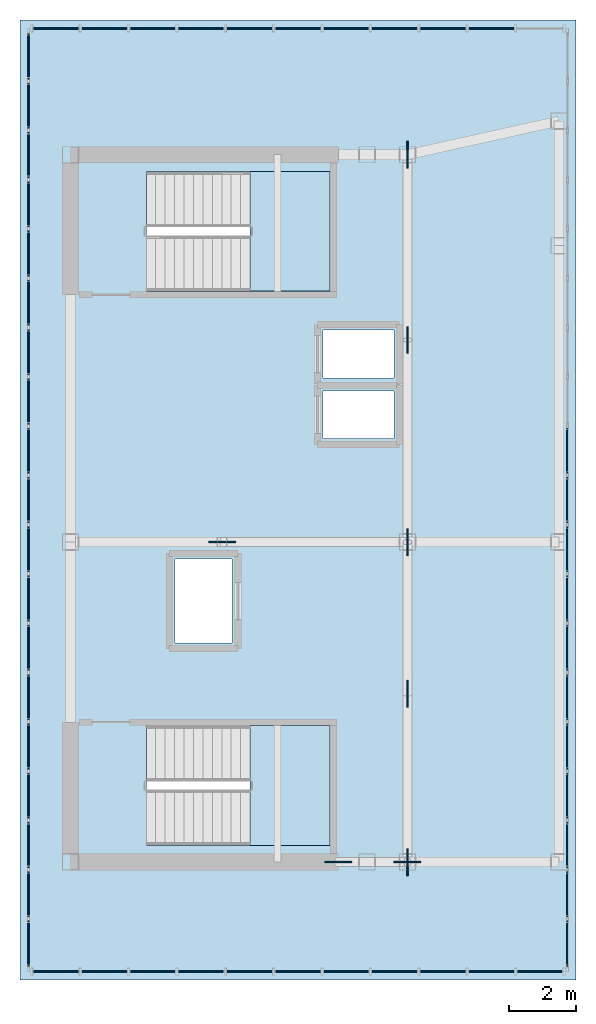
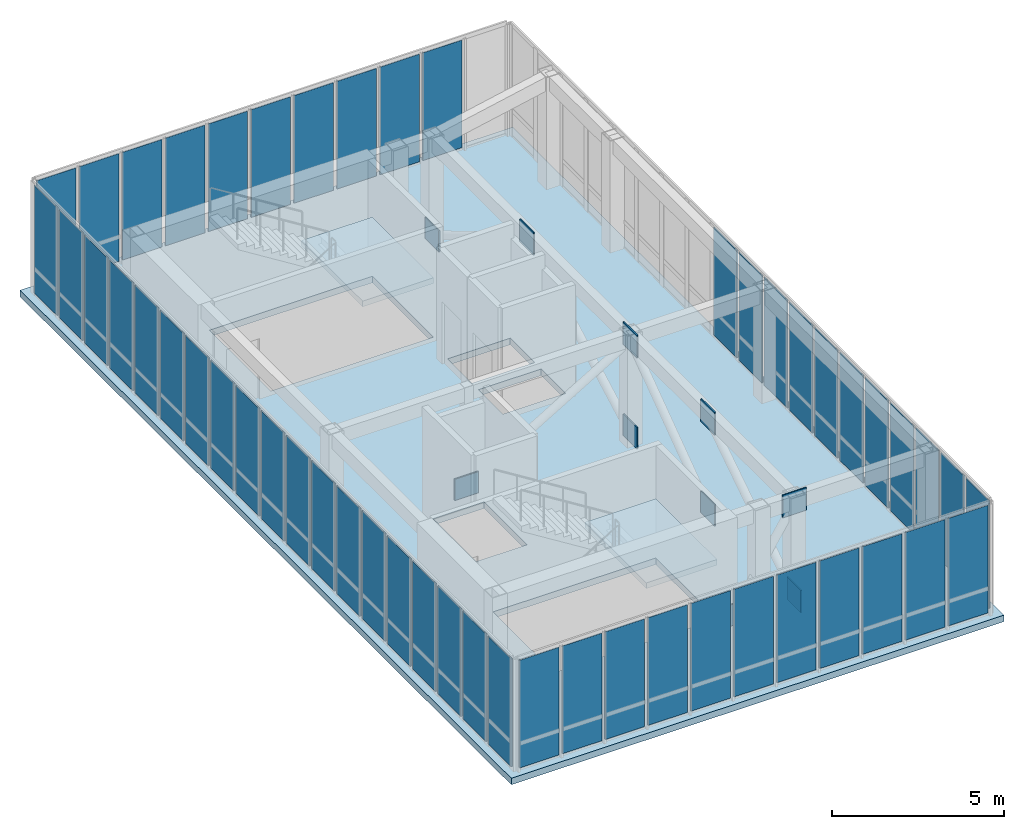
# One storey, part 11 of 13: 61 plates, 3 slabs, 6 elements without a shape of their own.
"""IFC4 building model written with IfcOpenShell, lengths in metres."""

import ifcopenshell
import ifcopenshell.guid

model = None  # the IFC model being written
_history = None  # IfcOwnerHistory: only IFC2X3 demands one
_inside = {}  # id of a spatial element -> (the spatial element, [elements in it])
_under = {}  # id of a project, library or spatial element -> (it, [spatial elements below it])
_declared = {}  # id of a project -> (the project, [libraries it declares])
_typed = {}  # id of a type object -> (the type object, [elements of that type])
_made_of = {}  # id of a material, layer set ... -> (it, [elements and type objects made of it])


def new_model(schema):
    """Start an empty IFC model of exactly this schema.

    Asked for "IFC4X3", IfcOpenShell would pick the latest addendum, in which some entities
    have other attributes; the version numbers below select the first issue.
    IFC2X3 requires an IfcOwnerHistory on every rooted entity: one is made here for all.
    """
    global model, _history
    if schema == "IFC4X3":
        model = ifcopenshell.file(schema_version=(4, 3, 0, 0))
    else:
        model = ifcopenshell.file(schema=schema)
    _inside.clear()
    _under.clear()
    _declared.clear()
    _typed.clear()
    _made_of.clear()
    _history = None
    if model.schema == "IFC2X3":
        org = make("IfcOrganization", Name="unknown")
        user = make(
            "IfcPersonAndOrganization",
            ThePerson=make("IfcPerson", FamilyName="unknown"),
            TheOrganization=org,
        )
        app = make(
            "IfcApplication",
            ApplicationDeveloper=org,
            Version="unknown",
            ApplicationFullName="unknown",
            ApplicationIdentifier="unknown",
        )
        _history = make(
            "IfcOwnerHistory",
            OwningUser=user,
            OwningApplication=app,
            ChangeAction="ADDED",
            CreationDate=0,
        )
    return model


def make(cls, **values):
    """One entity of the class cls with the attributes given. An attribute that is None is left unset."""
    return model.create_entity(
        cls, **{name: value for name, value in values.items() if value is not None}
    )


def rooted(cls, **values):
    """An entity with a GlobalId (a new one), such as an element, a storey or a relation."""
    return make(cls, GlobalId=ifcopenshell.guid.new(), OwnerHistory=_history, **values)


def si_unit(unit_type, name, prefix=None):
    """IfcSIUnit, for example si_unit("LENGTHUNIT", "METRE", prefix="MILLI")."""
    return make("IfcSIUnit", UnitType=unit_type, Prefix=prefix, Name=name)


def assignment(units):
    """IfcUnitAssignment: the units of a project."""
    return None if units is None else make("IfcUnitAssignment", Units=units)


def point(xyz):
    """IfcCartesianPoint."""
    return None if xyz is None else make("IfcCartesianPoint", Coordinates=xyz)


def direction(xyz):
    """IfcDirection."""
    return None if xyz is None else make("IfcDirection", DirectionRatios=xyz)


def frame(location, z_axis=None, x_axis=None):
    """IfcAxis2Placement3D, a coordinate frame: its origin and axes. An axis left out is left unset."""
    return make(
        "IfcAxis2Placement3D",
        Location=point(location),
        Axis=direction(z_axis),
        RefDirection=direction(x_axis),
    )


def frame_2d(location, x_axis=None):
    """IfcAxis2Placement2D, a coordinate frame in the plane: its origin and x axis."""
    return make(
        "IfcAxis2Placement2D", Location=point(location), RefDirection=direction(x_axis)
    )


def origin():
    """The frame at (0, 0, 0) with its axes left unset."""
    return frame((0.0, 0.0, 0.0))


def origin_2d():
    """The frame at (0, 0) in the plane with its x axis left unset."""
    return frame_2d((0.0, 0.0))


def place(relative_to, where):
    """IfcLocalPlacement: puts the frame where relative to a parent placement (None: the world)."""
    return make(
        "IfcLocalPlacement", PlacementRelTo=relative_to, RelativePlacement=where
    )


def context(
    kind, dimensions, precision=None, world=None, true_north=None, identifier=None
):
    """IfcGeometricRepresentationContext, for example the 3D "Model" context."""
    return make(
        "IfcGeometricRepresentationContext",
        ContextIdentifier=identifier,
        ContextType=kind,
        CoordinateSpaceDimension=dimensions,
        Precision=precision,
        WorldCoordinateSystem=world,
        TrueNorth=true_north,
    )


def subcontext(parent, identifier, kind, view, scale=None):
    """IfcGeometricRepresentationSubContext, for example "Body" below "Model"."""
    return make(
        "IfcGeometricRepresentationSubContext",
        ContextIdentifier=identifier,
        ContextType=kind,
        ParentContext=parent,
        TargetScale=scale,
        TargetView=view,
    )


def project(units=None, contexts=None):
    """IfcProject with its units and contexts."""
    return rooted(
        "IfcProject",
        Name="project",
        RepresentationContexts=contexts,
        UnitsInContext=assignment(units),
    )


def spatial(cls, under=None, at=None, **own):
    """A site, building, storey or space (cls), placed at a placement, below another one or the project."""
    s = rooted(cls, ObjectPlacement=at, **own)
    if under is not None:
        _under.setdefault(under.id(), (under, []))[1].append(s)
    return s


def polyline(points):
    """IfcPolyline through the points."""
    return make("IfcPolyline", Points=[point(p) for p in points])


def profile(cls, at=None, kind="AREA", **sizes):
    """A parametric profile (cls). Its sizes go by their IFC names, for example OverallWidth=200.0."""
    return make(cls, ProfileType=kind, Position=at, **sizes)


def rectangle(**sizes):
    """IfcRectangleProfileDef."""
    return profile("IfcRectangleProfileDef", **sizes)


def outline(outer, holes=None, kind="AREA"):
    """IfcArbitraryClosedProfileDef: a profile drawn as a closed curve; with holes, ...WithVoids."""
    if holes is None:
        return make("IfcArbitraryClosedProfileDef", ProfileType=kind, OuterCurve=outer)
    return make(
        "IfcArbitraryProfileDefWithVoids",
        ProfileType=kind,
        OuterCurve=outer,
        InnerCurves=holes,
    )


def extrude(swept, where, along, depth):
    """IfcExtrudedAreaSolid: the profile swept, set in the frame where, extruded along a direction by depth."""
    return make(
        "IfcExtrudedAreaSolid",
        SweptArea=swept,
        Position=where,
        ExtrudedDirection=direction(along),
        Depth=depth,
    )


def shape(context_of_items, identifier, shape_type, items):
    """IfcShapeRepresentation: the items that make up one representation, for example the "Body"."""
    return make(
        "IfcShapeRepresentation",
        ContextOfItems=context_of_items,
        RepresentationIdentifier=identifier,
        RepresentationType=shape_type,
        Items=items,
    )


def source(mapping_origin, context_of_items, identifier, shape_type, items):
    """IfcRepresentationMap: a shape defined once, which mapped items show again and again."""
    return make(
        "IfcRepresentationMap",
        MappingOrigin=mapping_origin,
        MappedRepresentation=shape(context_of_items, identifier, shape_type, items),
    )


def transform(
    local_origin,
    x_axis=None,
    y_axis=None,
    z_axis=None,
    scale=None,
    scale2=None,
    scale3=None,
    uniform=True,
):
    """IfcCartesianTransformationOperator3D, or its non-uniform kind. x_axis, y_axis, z_axis: its Axis1, 2, 3."""
    if uniform:
        return make(
            "IfcCartesianTransformationOperator3D",
            Axis1=direction(x_axis),
            Axis2=direction(y_axis),
            LocalOrigin=point(local_origin),
            Scale=scale,
            Axis3=direction(z_axis),
        )
    return make(
        "IfcCartesianTransformationOperator3DnonUniform",
        Axis1=direction(x_axis),
        Axis2=direction(y_axis),
        LocalOrigin=point(local_origin),
        Scale=scale,
        Axis3=direction(z_axis),
        Scale2=scale2,
        Scale3=scale3,
    )


def mapped(mapping_source, mapping_target):
    """IfcMappedItem: shows the shape of a source again, moved by a transform."""
    return make(
        "IfcMappedItem", MappingSource=mapping_source, MappingTarget=mapping_target
    )


def material(Name=None, Category=None):
    """IfcMaterial."""
    return make("IfcMaterial", Name=Name, Category=Category)


def layer(
    of_material, thickness, ventilated=None, Name=None, Category=None, Priority=None
):
    """IfcMaterialLayer: one layer of a wall or slab, of a material (None: an air gap)."""
    return make(
        "IfcMaterialLayer",
        Material=of_material,
        LayerThickness=thickness,
        IsVentilated=ventilated,
        Name=Name,
        Category=Category,
        Priority=Priority,
    )


def layer_set(layers, Name=None):
    """IfcMaterialLayerSet."""
    return make("IfcMaterialLayerSet", MaterialLayers=layers, LayerSetName=Name)


def made_of(thing, what):
    """Note that an element or type object is made of a material, layer set ...; save() writes the relation."""
    if what is not None:
        _made_of.setdefault(what.id(), (what, []))[1].append(thing)
    return thing


def type_object(cls, material=None, **own):
    """A type object (cls), such as IfcWallType, which elements share."""
    return made_of(rooted(cls, **own), material)


def element(
    cls,
    number,
    at=None,
    inside=None,
    cuts=None,
    type_object=None,
    material=None,
    context=None,
    identifier="Body",
    shape_type=None,
    held_by="IfcProductDefinitionShape",
    body=None,
    shapes=None,
    **own,
):
    """One element of the class cls, such as IfcWall. Its Tag is "e" and its number.

    at: its placement. inside: the storey or other place that contains it. cuts: it is an
    opening in that element (IfcRelVoidsElement). A single representation is given by context,
    identifier, shape_type and body (its items); several are given by shapes. held_by: the class
    of the entity that holds the representations. save() writes the other relations.
    """
    e = rooted(cls, Tag="e%d" % number, ObjectPlacement=at, **own)
    if body is not None:
        shapes = [shape(context, identifier, shape_type, body)]
    if shapes is not None:
        e.Representation = make(held_by, Representations=shapes)
    if inside is not None:
        _inside.setdefault(inside.id(), (inside, []))[1].append(e)
    if cuts is not None:
        rooted(
            "IfcRelVoidsElement", RelatingBuildingElement=cuts, RelatedOpeningElement=e
        )
    if type_object is not None:
        _typed.setdefault(type_object.id(), (type_object, []))[1].append(e)
    return made_of(e, material)


def aggregate(whole, parts):
    """IfcRelAggregates: a whole, such as a stair, and the parts it consists of."""
    return rooted("IfcRelAggregates", RelatingObject=whole, RelatedObjects=parts)


def save(model, path):
    """Write the relations noted so far, then the file.

    IfcRelAggregates (storeys below a building ...), IfcRelContainedInSpatialStructure (elements
    in a storey), IfcRelDefinesByType, IfcRelAssociatesMaterial and IfcRelDeclares: one each for
    every whole, place, type object, material and project.
    """
    for whole, parts in _under.values():
        aggregate(whole, parts)
    for where, things in _inside.values():
        rooted(
            "IfcRelContainedInSpatialStructure",
            RelatedElements=things,
            RelatingStructure=where,
        )
    for kind, things in _typed.values():
        rooted("IfcRelDefinesByType", RelatedObjects=things, RelatingType=kind)
    for what, things in _made_of.values():
        rooted("IfcRelAssociatesMaterial", RelatedObjects=things, RelatingMaterial=what)
    for by, libraries in _declared.values():
        rooted("IfcRelDeclares", RelatingContext=by, RelatedDefinitions=libraries)
    model.write(path)


model = new_model("IFC4")

# Units and contexts
model_context = context("Model", 3, precision=1e-05, world=origin(), true_north=direction((0.0, 1.0)))
body_context = subcontext(model_context, "Body", "Model", "MODEL_VIEW")
ifc_project = project(units=[si_unit("LENGTHUNIT", "METRE"), si_unit("AREAUNIT", "SQUARE_METRE"), si_unit("VOLUMEUNIT", "CUBIC_METRE"), si_unit("PLANEANGLEUNIT", "RADIAN"), si_unit("MASSUNIT", "GRAM", prefix="KILO")], contexts=[model_context])

# Site, building, storey
site_placement = place(None, origin())
site = spatial("IfcSite", under=ifc_project, at=site_placement, CompositionType="ELEMENT")
building_placement = place(site_placement, origin())
building = spatial("IfcBuilding", under=site, at=building_placement, Name="Kharzan Plaza Tower", CompositionType="ELEMENT")
storey_placement = place(building_placement, frame((0.0, 0.0, 294.0)))
storey = spatial("IfcBuildingStorey", under=building, at=storey_placement, Name="L79-CROWN", CompositionType="ELEMENT", Elevation=294.0)

# Slab
ifc_material_1 = material(Name="Concrete C40/50", Category="concrete")
ifc_layer_1 = layer(ifc_material_1, 0.22998046875)
ifc_layer_set_1 = layer_set([ifc_layer_1], Name="Concrete C40/50")
slab_type_1 = type_object("IfcSlabType", Name="SL-FLOOR-230", PredefinedType="FLOOR", material=ifc_layer_set_1)
slab_1_placement = place(storey_placement, frame((0.0, 0.0, -0.22998046875)))
element("IfcSlab", 1, at=slab_1_placement, inside=storey, type_object=slab_type_1, Name="L79-CROWN Composite Structural Floor Slab 230 mm", PredefinedType="FLOOR", context=body_context, shape_type="SweptSolid", body=[
    extrude(outline(polyline([(3.0, 5.0), (19.5, 5.0), (19.5, 33.5), (3.0, 33.5), (3.0, 5.0)]), holes=[polyline([(6.75, 12.550048828125), (6.75, 9.0), (12.199951171875, 9.0), (12.199951171875, 12.550048828125), (6.75, 12.550048828125)]), polyline([(7.60009765625, 17.5), (7.60009765625, 15.0), (9.300048828125, 15.0), (9.300048828125, 17.5), (7.60009765625, 17.5)]), polyline([(12.0, 22.489990234375), (12.0, 21.070068359375), (14.10009765625, 21.070068359375), (14.10009765625, 22.489990234375), (12.0, 22.489990234375)]), polyline([(14.10009765625, 24.2900390625), (12.0, 24.2900390625), (12.0, 22.8701171875), (14.10009765625, 22.8701171875), (14.10009765625, 24.2900390625)]), polyline([(12.199951171875, 29.0), (6.75, 29.0), (6.75, 25.449951171875), (12.199951171875, 25.449951171875), (12.199951171875, 29.0)])]), origin(), (0.0, 0.0, 1.0), 0.22998046875),
])

# Stair, slab
stair_type_1 = type_object("IfcStairType", Name="STR-ST-1", PredefinedType="HALF_TURN_STAIR", material=ifc_material_1)
stair_1_placement = place(storey_placement, origin())
stair_1 = element("IfcStair", 2, at=stair_1_placement, inside=storey, type_object=stair_type_1, Name="L79-CROWN Protected Exit Stair ST-1", PredefinedType="HALF_TURN_STAIR")
ifc_layer_2 = layer(ifc_material_1, 0.219970703125)
ifc_layer_set_2 = layer_set([ifc_layer_2], Name="Concrete C40/50")
slab_type_2 = type_object("IfcSlabType", Name="SL-LANDING-220", PredefinedType="LANDING", material=ifc_layer_set_2)
slab_2_placement = place(storey_placement, frame((0.0, 0.0, 1.89990234375)))
slab_2 = element("IfcSlab", 3, at=slab_2_placement, type_object=slab_type_2, Name="ST-1 landing 1", PredefinedType="LANDING", context=body_context, shape_type="SweptSolid", body=[
    extrude(outline(polyline([(9.830078125, 9.0), (12.199951171875, 9.0), (12.199951171875, 12.550048828125), (9.830078125, 12.550048828125), (9.830078125, 9.0)])), origin(), (0.0, 0.0, 1.0), 0.2001953125),
])
aggregate(stair_1, [slab_2])

stair_type_2 = type_object("IfcStairType", Name="STR-ST-2", PredefinedType="HALF_TURN_STAIR", material=ifc_material_1)
stair_2_placement = place(storey_placement, origin())
stair_2 = element("IfcStair", 4, at=stair_2_placement, inside=storey, type_object=stair_type_2, Name="L79-CROWN Protected Exit Stair ST-2", PredefinedType="HALF_TURN_STAIR")
slab_3_placement = place(storey_placement, frame((0.0, 0.0, 1.89990234375)))
slab_3 = element("IfcSlab", 5, at=slab_3_placement, type_object=slab_type_2, Name="ST-2 landing 1", PredefinedType="LANDING", context=body_context, shape_type="SweptSolid", body=[
    extrude(outline(polyline([(9.830078125, 25.449951171875), (12.199951171875, 25.449951171875), (12.199951171875, 29.0), (9.830078125, 29.0), (9.830078125, 25.449951171875)])), origin(), (0.0, 0.0, 1.0), 0.2001953125),
])
aggregate(stair_2, [slab_3])

# Plates
ifc_material_2 = material(Name="Steel S460", Category="steel")
ifc_layer_3 = layer(ifc_material_2, 0.044921875)
ifc_layer_set_3 = layer_set([ifc_layer_3], Name="Steel S460")
plate_type_1 = type_object("IfcPlateType", Name="PLT-OTN1", PredefinedType="USERDEFINED", material=ifc_layer_set_3)
shared_shape_1 = source(origin(), body_context, "Body", "SweptSolid", [
    extrude(rectangle(XDim=0.800048828125, YDim=0.0400390625, at=origin_2d()), origin(), (0.0, 0.0, 1.0), 0.800048828125),
])
for number, where, z_axis, x_axis, name in (
    (6, (14.5, 18.0, -0.0498046875), (0.0, 0.0, 1.0), (0.0, 1.0, 0.0), "L79-CROWN CROWN FRAME Brace End Gusset Plate OTN1-CRD-E1-A"),
    (7, (14.5, 29.5, -0.0498046875), (0.0, 0.0, 1.0), (0.0, -1.0, 0.0), "L79-CROWN CROWN FRAME Brace End Gusset Plate OTN1-CRD-N1-A"),
    (8, (14.5, 24.0, 3.22021484375), (0.0, 0.0, 1.0), (0.0, -1.0, 0.0), "L79-CROWN CROWN FRAME Brace End Gusset Plate OTN1-CRD-N1-B"),
    (9, (12.449951171875, 8.5, -0.0498046875), (0.0, 0.0, 1.0), (1.0, 0.0, 0.0), "L79-CROWN CROWN FRAME Brace End Gusset Plate OTN1-CRD-N2-A"),
    (10, (14.5, 8.5, 3.22021484375), (0.0, 0.0, 1.0), (1.0, 0.0, 0.0), "L79-CROWN CROWN FRAME Brace End Gusset Plate OTN1-CRD-N2-B"),
    (11, (14.5, 8.5, -0.0498046875), (0.0, 0.0, 1.0), (0.0, 1.0, 0.0), "L79-CROWN CROWN FRAME Brace End Gusset Plate OTN1-CRD-S1-A"),
    (12, (14.5, 13.5, 3.22021484375), (0.0, 0.0, 1.0), (0.0, 1.0, 0.0), "L79-CROWN CROWN FRAME Brace End Gusset Plate OTN1-CRD-S1-B"),
    (13, (14.5, 13.5, -0.0498046875), (0.0, 0.0, 1.0), (0.0, 1.0, 0.0), "L79-CROWN CROWN FRAME Brace End Gusset Plate OTN1-CRD-S2-A"),
    (14, (14.5, 18.0, 3.22021484375), (0.0, 0.0, 1.0), (0.0, 1.0, 0.0), "L79-CROWN CROWN FRAME Brace End Gusset Plate OTN1-CRD-S2-B"),
    (15, (9.0, 18.0, -0.0498046875), (0.0, 0.0, 1.0), (1.0, 0.0, 0.0), "L79-CROWN CROWN FRAME Brace End Gusset Plate OTN1-CRD-W1-A"),
):
    element("IfcPlate", number, at=place(storey_placement, frame(where, z_axis=z_axis, x_axis=x_axis)), inside=storey, type_object=plate_type_1, Name=name, ObjectType="GUSSET_PLATE", PredefinedType="USERDEFINED", context=body_context, shape_type="MappedRepresentation", body=[
        mapped(shared_shape_1, transform((0.0, 0.0, 0.0), x_axis=(1.0, 0.0, 0.0), y_axis=(0.0, 1.0, 0.0), z_axis=(0.0, 0.0, 1.0))),
    ])

# Curtain wall, plates
ifc_material_3 = material(Name="Unitised Bronze-Anodized Aluminium and Low-E Glass", Category="aluminium")
ifc_layer_4 = layer(ifc_material_3, 0.199951171875)
ifc_layer_set_4 = layer_set([ifc_layer_4], Name="Unitised Bronze-Anodized Aluminium and Low-E Glass")
curtain_wall_type = type_object("IfcCurtainWallType", Name="CW-LANTERN-6", PredefinedType="NOTDEFINED", material=ifc_layer_set_4)
curtain_wall_1_placement = place(storey_placement, origin())
curtain_wall_1 = element("IfcCurtainWall", 16, at=curtain_wall_1_placement, inside=storey, type_object=curtain_wall_type, Name="L79-CROWN Lantern Crown Illuminated Curtain Wall 1", PredefinedType="NOTDEFINED")
ifc_material_4 = material(Name="Low-Iron Fritted Lantern Crown Glazing", Category="glass")
ifc_layer_5 = layer(ifc_material_4, 0.035888671875)
ifc_layer_set_5 = layer_set([ifc_layer_5], Name="Low-Iron Fritted Lantern Crown Glazing")
plate_type_2 = type_object("IfcPlateType", Name="PLT-CW-LANTERN", PredefinedType="CURTAIN_PANEL", material=ifc_layer_set_5)
shared_shape_2 = source(origin(), body_context, "Body", "SweptSolid", [
    extrude(rectangle(XDim=1.31640625, YDim=0.035888671875, at=origin_2d()), origin(), (0.0, 0.0, 1.0), 3.81005859375),
])
plate_1_placement = place(storey_placement, frame((4.068115234375, 5.25, 0.080078125), z_axis=(0.0, 0.0, 1.0), x_axis=(1.0, 0.0, 0.0)))
plate_1 = element("IfcPlate", 17, at=plate_1_placement, type_object=plate_type_2, Name="L79-CROWN Curtain-Wall Glazed Panel 00", PredefinedType="CURTAIN_PANEL", context=body_context, shape_type="MappedRepresentation", body=[
    mapped(shared_shape_2, transform((0.0, 0.0, 0.0), x_axis=(1.0, 0.0, 0.0), y_axis=(0.0, 1.0, 0.0), z_axis=(0.0, 0.0, 1.0))),
])
plate_2_placement = place(storey_placement, frame((5.50439453125, 5.25, 0.080078125), z_axis=(0.0, 0.0, 1.0), x_axis=(1.0, 0.0, 0.0)))
plate_2 = element("IfcPlate", 18, at=plate_2_placement, type_object=plate_type_2, Name="L79-CROWN Curtain-Wall Glazed Panel 01", PredefinedType="CURTAIN_PANEL", context=body_context, shape_type="MappedRepresentation", body=[
    mapped(shared_shape_2, transform((0.0, 0.0, 0.0), x_axis=(1.0, 0.0, 0.0), y_axis=(0.0, 1.0, 0.0), z_axis=(0.0, 0.0, 1.0))),
])
plate_3_placement = place(storey_placement, frame((6.94091796875, 5.25, 0.080078125), z_axis=(0.0, 0.0, 1.0), x_axis=(1.0, 0.0, 0.0)))
plate_3 = element("IfcPlate", 19, at=plate_3_placement, type_object=plate_type_2, Name="L79-CROWN Curtain-Wall Glazed Panel 02", PredefinedType="CURTAIN_PANEL", context=body_context, shape_type="MappedRepresentation", body=[
    mapped(shared_shape_2, transform((0.0, 0.0, 0.0), x_axis=(1.0, 0.0, 0.0), y_axis=(0.0, 1.0, 0.0), z_axis=(0.0, 0.0, 1.0))),
])
plate_4_placement = place(storey_placement, frame((8.377197265625, 5.25, 0.080078125), z_axis=(0.0, 0.0, 1.0), x_axis=(1.0, 0.0, 0.0)))
plate_4 = element("IfcPlate", 20, at=plate_4_placement, type_object=plate_type_2, Name="L79-CROWN Curtain-Wall Glazed Panel 03", PredefinedType="CURTAIN_PANEL", context=body_context, shape_type="MappedRepresentation", body=[
    mapped(shared_shape_2, transform((0.0, 0.0, 0.0), x_axis=(1.0, 0.0, 0.0), y_axis=(0.0, 1.0, 0.0), z_axis=(0.0, 0.0, 1.0))),
])
plate_5_placement = place(storey_placement, frame((9.813720703125, 5.25, 0.080078125), z_axis=(0.0, 0.0, 1.0), x_axis=(1.0, 0.0, 0.0)))
plate_5 = element("IfcPlate", 21, at=plate_5_placement, type_object=plate_type_2, Name="L79-CROWN Curtain-Wall Glazed Panel 04", PredefinedType="CURTAIN_PANEL", context=body_context, shape_type="MappedRepresentation", body=[
    mapped(shared_shape_2, transform((0.0, 0.0, 0.0), x_axis=(1.0, 0.0, 0.0), y_axis=(0.0, 1.0, 0.0), z_axis=(0.0, 0.0, 1.0))),
])
plate_6_placement = place(storey_placement, frame((11.25, 5.25, 0.080078125), z_axis=(0.0, 0.0, 1.0), x_axis=(1.0, 0.0, 0.0)))
plate_6 = element("IfcPlate", 22, at=plate_6_placement, type_object=plate_type_2, Name="L79-CROWN Curtain-Wall Glazed Panel 05", PredefinedType="CURTAIN_PANEL", context=body_context, shape_type="MappedRepresentation", body=[
    mapped(shared_shape_2, transform((0.0, 0.0, 0.0), x_axis=(1.0, 0.0, 0.0), y_axis=(0.0, 1.0, 0.0), z_axis=(0.0, 0.0, 1.0))),
])
plate_7_placement = place(storey_placement, frame((12.686279296875, 5.25, 0.080078125), z_axis=(0.0, 0.0, 1.0), x_axis=(1.0, 0.0, 0.0)))
plate_7 = element("IfcPlate", 23, at=plate_7_placement, type_object=plate_type_2, Name="L79-CROWN Curtain-Wall Glazed Panel 06", PredefinedType="CURTAIN_PANEL", context=body_context, shape_type="MappedRepresentation", body=[
    mapped(shared_shape_2, transform((0.0, 0.0, 0.0), x_axis=(1.0, 0.0, 0.0), y_axis=(0.0, 1.0, 0.0), z_axis=(0.0, 0.0, 1.0))),
])
plate_8_placement = place(storey_placement, frame((14.122802734375, 5.25, 0.080078125), z_axis=(0.0, 0.0, 1.0), x_axis=(1.0, 0.0, 0.0)))
plate_8 = element("IfcPlate", 24, at=plate_8_placement, type_object=plate_type_2, Name="L79-CROWN Curtain-Wall Glazed Panel 07", PredefinedType="CURTAIN_PANEL", context=body_context, shape_type="MappedRepresentation", body=[
    mapped(shared_shape_2, transform((0.0, 0.0, 0.0), x_axis=(1.0, 0.0, 0.0), y_axis=(0.0, 1.0, 0.0), z_axis=(0.0, 0.0, 1.0))),
])
plate_9_placement = place(storey_placement, frame((15.55908203125, 5.25, 0.080078125), z_axis=(0.0, 0.0, 1.0), x_axis=(1.0, 0.0, 0.0)))
plate_9 = element("IfcPlate", 25, at=plate_9_placement, type_object=plate_type_2, Name="L79-CROWN Curtain-Wall Glazed Panel 08", PredefinedType="CURTAIN_PANEL", context=body_context, shape_type="MappedRepresentation", body=[
    mapped(shared_shape_2, transform((0.0, 0.0, 0.0), x_axis=(1.0, 0.0, 0.0), y_axis=(0.0, 1.0, 0.0), z_axis=(0.0, 0.0, 1.0))),
])
plate_10_placement = place(storey_placement, frame((16.99560546875, 5.25, 0.080078125), z_axis=(0.0, 0.0, 1.0), x_axis=(1.0, 0.0, 0.0)))
plate_10 = element("IfcPlate", 26, at=plate_10_placement, type_object=plate_type_2, Name="L79-CROWN Curtain-Wall Glazed Panel 09", PredefinedType="CURTAIN_PANEL", context=body_context, shape_type="MappedRepresentation", body=[
    mapped(shared_shape_2, transform((0.0, 0.0, 0.0), x_axis=(1.0, 0.0, 0.0), y_axis=(0.0, 1.0, 0.0), z_axis=(0.0, 0.0, 1.0))),
])
plate_11_placement = place(storey_placement, frame((18.431884765625, 5.25, 0.080078125), z_axis=(0.0, 0.0, 1.0), x_axis=(1.0, 0.0, 0.0)))
plate_11 = element("IfcPlate", 27, at=plate_11_placement, type_object=plate_type_2, Name="L79-CROWN Curtain-Wall Glazed Panel 10", PredefinedType="CURTAIN_PANEL", context=body_context, shape_type="MappedRepresentation", body=[
    mapped(shared_shape_2, transform((0.0, 0.0, 0.0), x_axis=(1.0, 0.0, 0.0), y_axis=(0.0, 1.0, 0.0), z_axis=(0.0, 0.0, 1.0))),
])
aggregate(curtain_wall_1, [plate_1, plate_2, plate_3, plate_4, plate_5, plate_6, plate_7, plate_8, plate_9, plate_10, plate_11])

curtain_wall_2_placement = place(storey_placement, origin())
curtain_wall_2 = element("IfcCurtainWall", 28, at=curtain_wall_2_placement, inside=storey, type_object=curtain_wall_type, Name="L79-CROWN Lantern Crown Illuminated Curtain Wall 3", PredefinedType="NOTDEFINED")
plate_12_placement = place(storey_placement, frame((16.99560546875, 33.25, 0.080078125), z_axis=(0.0, 0.0, 1.0), x_axis=(-1.0, 0.0, 0.0)))
plate_12 = element("IfcPlate", 29, at=plate_12_placement, type_object=plate_type_2, Name="L79-CROWN Curtain-Wall Glazed Panel 01", PredefinedType="CURTAIN_PANEL", context=body_context, shape_type="MappedRepresentation", body=[
    mapped(shared_shape_2, transform((0.0, 0.0, 0.0), x_axis=(1.0, 0.0, 0.0), y_axis=(0.0, 1.0, 0.0), z_axis=(0.0, 0.0, 1.0))),
])
plate_13_placement = place(storey_placement, frame((15.55908203125, 33.25, 0.080078125), z_axis=(0.0, 0.0, 1.0), x_axis=(-1.0, 0.0, 0.0)))
plate_13 = element("IfcPlate", 30, at=plate_13_placement, type_object=plate_type_2, Name="L79-CROWN Curtain-Wall Glazed Panel 02", PredefinedType="CURTAIN_PANEL", context=body_context, shape_type="MappedRepresentation", body=[
    mapped(shared_shape_2, transform((0.0, 0.0, 0.0), x_axis=(1.0, 0.0, 0.0), y_axis=(0.0, 1.0, 0.0), z_axis=(0.0, 0.0, 1.0))),
])
plate_14_placement = place(storey_placement, frame((14.122802734375, 33.25, 0.080078125), z_axis=(0.0, 0.0, 1.0), x_axis=(-1.0, 0.0, 0.0)))
plate_14 = element("IfcPlate", 31, at=plate_14_placement, type_object=plate_type_2, Name="L79-CROWN Curtain-Wall Glazed Panel 03", PredefinedType="CURTAIN_PANEL", context=body_context, shape_type="MappedRepresentation", body=[
    mapped(shared_shape_2, transform((0.0, 0.0, 0.0), x_axis=(1.0, 0.0, 0.0), y_axis=(0.0, 1.0, 0.0), z_axis=(0.0, 0.0, 1.0))),
])
plate_15_placement = place(storey_placement, frame((12.686279296875, 33.25, 0.080078125), z_axis=(0.0, 0.0, 1.0), x_axis=(-1.0, 0.0, 0.0)))
plate_15 = element("IfcPlate", 32, at=plate_15_placement, type_object=plate_type_2, Name="L79-CROWN Curtain-Wall Glazed Panel 04", PredefinedType="CURTAIN_PANEL", context=body_context, shape_type="MappedRepresentation", body=[
    mapped(shared_shape_2, transform((0.0, 0.0, 0.0), x_axis=(1.0, 0.0, 0.0), y_axis=(0.0, 1.0, 0.0), z_axis=(0.0, 0.0, 1.0))),
])
plate_16_placement = place(storey_placement, frame((11.25, 33.25, 0.080078125), z_axis=(0.0, 0.0, 1.0), x_axis=(-1.0, 0.0, 0.0)))
plate_16 = element("IfcPlate", 33, at=plate_16_placement, type_object=plate_type_2, Name="L79-CROWN Curtain-Wall Glazed Panel 05", PredefinedType="CURTAIN_PANEL", context=body_context, shape_type="MappedRepresentation", body=[
    mapped(shared_shape_2, transform((0.0, 0.0, 0.0), x_axis=(1.0, 0.0, 0.0), y_axis=(0.0, 1.0, 0.0), z_axis=(0.0, 0.0, 1.0))),
])
plate_17_placement = place(storey_placement, frame((9.813720703125, 33.25, 0.080078125), z_axis=(0.0, 0.0, 1.0), x_axis=(-1.0, 0.0, 0.0)))
plate_17 = element("IfcPlate", 34, at=plate_17_placement, type_object=plate_type_2, Name="L79-CROWN Curtain-Wall Glazed Panel 06", PredefinedType="CURTAIN_PANEL", context=body_context, shape_type="MappedRepresentation", body=[
    mapped(shared_shape_2, transform((0.0, 0.0, 0.0), x_axis=(1.0, 0.0, 0.0), y_axis=(0.0, 1.0, 0.0), z_axis=(0.0, 0.0, 1.0))),
])
plate_18_placement = place(storey_placement, frame((8.377197265625, 33.25, 0.080078125), z_axis=(0.0, 0.0, 1.0), x_axis=(-1.0, 0.0, 0.0)))
plate_18 = element("IfcPlate", 35, at=plate_18_placement, type_object=plate_type_2, Name="L79-CROWN Curtain-Wall Glazed Panel 07", PredefinedType="CURTAIN_PANEL", context=body_context, shape_type="MappedRepresentation", body=[
    mapped(shared_shape_2, transform((0.0, 0.0, 0.0), x_axis=(1.0, 0.0, 0.0), y_axis=(0.0, 1.0, 0.0), z_axis=(0.0, 0.0, 1.0))),
])
plate_19_placement = place(storey_placement, frame((6.94091796875, 33.25, 0.080078125), z_axis=(0.0, 0.0, 1.0), x_axis=(-1.0, 0.0, 0.0)))
plate_19 = element("IfcPlate", 36, at=plate_19_placement, type_object=plate_type_2, Name="L79-CROWN Curtain-Wall Glazed Panel 08", PredefinedType="CURTAIN_PANEL", context=body_context, shape_type="MappedRepresentation", body=[
    mapped(shared_shape_2, transform((0.0, 0.0, 0.0), x_axis=(1.0, 0.0, 0.0), y_axis=(0.0, 1.0, 0.0), z_axis=(0.0, 0.0, 1.0))),
])
plate_20_placement = place(storey_placement, frame((5.50439453125, 33.25, 0.080078125), z_axis=(0.0, 0.0, 1.0), x_axis=(-1.0, 0.0, 0.0)))
plate_20 = element("IfcPlate", 37, at=plate_20_placement, type_object=plate_type_2, Name="L79-CROWN Curtain-Wall Glazed Panel 09", PredefinedType="CURTAIN_PANEL", context=body_context, shape_type="MappedRepresentation", body=[
    mapped(shared_shape_2, transform((0.0, 0.0, 0.0), x_axis=(1.0, 0.0, 0.0), y_axis=(0.0, 1.0, 0.0), z_axis=(0.0, 0.0, 1.0))),
])
plate_21_placement = place(storey_placement, frame((4.068115234375, 33.25, 0.080078125), z_axis=(0.0, 0.0, 1.0), x_axis=(-1.0, 0.0, 0.0)))
plate_21 = element("IfcPlate", 38, at=plate_21_placement, type_object=plate_type_2, Name="L79-CROWN Curtain-Wall Glazed Panel 10", PredefinedType="CURTAIN_PANEL", context=body_context, shape_type="MappedRepresentation", body=[
    mapped(shared_shape_2, transform((0.0, 0.0, 0.0), x_axis=(1.0, 0.0, 0.0), y_axis=(0.0, 1.0, 0.0), z_axis=(0.0, 0.0, 1.0))),
])
aggregate(curtain_wall_2, [plate_12, plate_13, plate_14, plate_15, plate_16, plate_17, plate_18, plate_19, plate_20, plate_21])

curtain_wall_3_placement = place(storey_placement, origin())
curtain_wall_3 = element("IfcCurtainWall", 39, at=curtain_wall_3_placement, inside=storey, type_object=curtain_wall_type, Name="L79-CROWN Lantern Crown Illuminated Curtain Wall 2", PredefinedType="NOTDEFINED")
shared_shape_3 = source(origin(), body_context, "Body", "SweptSolid", [
    extrude(rectangle(XDim=1.34326171875, YDim=0.035888671875, at=origin_2d()), origin(), (0.0, 0.0, 1.0), 3.81005859375),
])
plate_22_placement = place(storey_placement, frame((19.25, 6.08154296875, 0.080078125), z_axis=(0.0, 0.0, 1.0), x_axis=(0.0, 1.0, 0.0)))
plate_22 = element("IfcPlate", 40, at=plate_22_placement, type_object=plate_type_2, Name="L79-CROWN Curtain-Wall Glazed Panel 00", PredefinedType="CURTAIN_PANEL", context=body_context, shape_type="MappedRepresentation", body=[
    mapped(shared_shape_3, transform((0.0, 0.0, 0.0), x_axis=(1.0, 0.0, 0.0), y_axis=(0.0, 1.0, 0.0), z_axis=(0.0, 0.0, 1.0))),
])
plate_23_placement = place(storey_placement, frame((19.25, 7.544677734375, 0.080078125), z_axis=(0.0, 0.0, 1.0), x_axis=(0.0, 1.0, 0.0)))
plate_23 = element("IfcPlate", 41, at=plate_23_placement, type_object=plate_type_2, Name="L79-CROWN Curtain-Wall Glazed Panel 01", PredefinedType="CURTAIN_PANEL", context=body_context, shape_type="MappedRepresentation", body=[
    mapped(shared_shape_3, transform((0.0, 0.0, 0.0), x_axis=(1.0, 0.0, 0.0), y_axis=(0.0, 1.0, 0.0), z_axis=(0.0, 0.0, 1.0))),
])
plate_24_placement = place(storey_placement, frame((19.25, 9.0078125, 0.080078125), z_axis=(0.0, 0.0, 1.0), x_axis=(0.0, 1.0, 0.0)))
plate_24 = element("IfcPlate", 42, at=plate_24_placement, type_object=plate_type_2, Name="L79-CROWN Curtain-Wall Glazed Panel 02", PredefinedType="CURTAIN_PANEL", context=body_context, shape_type="MappedRepresentation", body=[
    mapped(shared_shape_3, transform((0.0, 0.0, 0.0), x_axis=(1.0, 0.0, 0.0), y_axis=(0.0, 1.0, 0.0), z_axis=(0.0, 0.0, 1.0))),
])
plate_25_placement = place(storey_placement, frame((19.25, 10.47119140625, 0.080078125), z_axis=(0.0, 0.0, 1.0), x_axis=(0.0, 1.0, 0.0)))
plate_25 = element("IfcPlate", 43, at=plate_25_placement, type_object=plate_type_2, Name="L79-CROWN Curtain-Wall Glazed Panel 03", PredefinedType="CURTAIN_PANEL", context=body_context, shape_type="MappedRepresentation", body=[
    mapped(shared_shape_3, transform((0.0, 0.0, 0.0), x_axis=(1.0, 0.0, 0.0), y_axis=(0.0, 1.0, 0.0), z_axis=(0.0, 0.0, 1.0))),
])
plate_26_placement = place(storey_placement, frame((19.25, 11.93408203125, 0.080078125), z_axis=(0.0, 0.0, 1.0), x_axis=(0.0, 1.0, 0.0)))
plate_26 = element("IfcPlate", 44, at=plate_26_placement, type_object=plate_type_2, Name="L79-CROWN Curtain-Wall Glazed Panel 04", PredefinedType="CURTAIN_PANEL", context=body_context, shape_type="MappedRepresentation", body=[
    mapped(shared_shape_3, transform((0.0, 0.0, 0.0), x_axis=(1.0, 0.0, 0.0), y_axis=(0.0, 1.0, 0.0), z_axis=(0.0, 0.0, 1.0))),
])
plate_27_placement = place(storey_placement, frame((19.25, 13.3974609375, 0.080078125), z_axis=(0.0, 0.0, 1.0), x_axis=(0.0, 1.0, 0.0)))
plate_27 = element("IfcPlate", 45, at=plate_27_placement, type_object=plate_type_2, Name="L79-CROWN Curtain-Wall Glazed Panel 05", PredefinedType="CURTAIN_PANEL", context=body_context, shape_type="MappedRepresentation", body=[
    mapped(shared_shape_3, transform((0.0, 0.0, 0.0), x_axis=(1.0, 0.0, 0.0), y_axis=(0.0, 1.0, 0.0), z_axis=(0.0, 0.0, 1.0))),
])
plate_28_placement = place(storey_placement, frame((19.25, 14.860595703125, 0.080078125), z_axis=(0.0, 0.0, 1.0), x_axis=(0.0, 1.0, 0.0)))
plate_28 = element("IfcPlate", 46, at=plate_28_placement, type_object=plate_type_2, Name="L79-CROWN Curtain-Wall Glazed Panel 06", PredefinedType="CURTAIN_PANEL", context=body_context, shape_type="MappedRepresentation", body=[
    mapped(shared_shape_3, transform((0.0, 0.0, 0.0), x_axis=(1.0, 0.0, 0.0), y_axis=(0.0, 1.0, 0.0), z_axis=(0.0, 0.0, 1.0))),
])
plate_29_placement = place(storey_placement, frame((19.25, 16.32373046875, 0.080078125), z_axis=(0.0, 0.0, 1.0), x_axis=(0.0, 1.0, 0.0)))
plate_29 = element("IfcPlate", 47, at=plate_29_placement, type_object=plate_type_2, Name="L79-CROWN Curtain-Wall Glazed Panel 07", PredefinedType="CURTAIN_PANEL", context=body_context, shape_type="MappedRepresentation", body=[
    mapped(shared_shape_3, transform((0.0, 0.0, 0.0), x_axis=(1.0, 0.0, 0.0), y_axis=(0.0, 1.0, 0.0), z_axis=(0.0, 0.0, 1.0))),
])
plate_30_placement = place(storey_placement, frame((19.25, 17.786865234375, 0.080078125), z_axis=(0.0, 0.0, 1.0), x_axis=(0.0, 1.0, 0.0)))
plate_30 = element("IfcPlate", 48, at=plate_30_placement, type_object=plate_type_2, Name="L79-CROWN Curtain-Wall Glazed Panel 08", PredefinedType="CURTAIN_PANEL", context=body_context, shape_type="MappedRepresentation", body=[
    mapped(shared_shape_3, transform((0.0, 0.0, 0.0), x_axis=(1.0, 0.0, 0.0), y_axis=(0.0, 1.0, 0.0), z_axis=(0.0, 0.0, 1.0))),
])
plate_31_placement = place(storey_placement, frame((19.25, 19.25, 0.080078125), z_axis=(0.0, 0.0, 1.0), x_axis=(0.0, 1.0, 0.0)))
plate_31 = element("IfcPlate", 49, at=plate_31_placement, type_object=plate_type_2, Name="L79-CROWN Curtain-Wall Glazed Panel 09", PredefinedType="CURTAIN_PANEL", context=body_context, shape_type="MappedRepresentation", body=[
    mapped(shared_shape_3, transform((0.0, 0.0, 0.0), x_axis=(1.0, 0.0, 0.0), y_axis=(0.0, 1.0, 0.0), z_axis=(0.0, 0.0, 1.0))),
])
plate_32_placement = place(storey_placement, frame((19.25, 20.713134765625, 0.080078125), z_axis=(0.0, 0.0, 1.0), x_axis=(0.0, 1.0, 0.0)))
plate_32 = element("IfcPlate", 50, at=plate_32_placement, type_object=plate_type_2, Name="L79-CROWN Curtain-Wall Glazed Panel 10", PredefinedType="CURTAIN_PANEL", context=body_context, shape_type="MappedRepresentation", body=[
    mapped(shared_shape_3, transform((0.0, 0.0, 0.0), x_axis=(1.0, 0.0, 0.0), y_axis=(0.0, 1.0, 0.0), z_axis=(0.0, 0.0, 1.0))),
])
aggregate(curtain_wall_3, [plate_22, plate_23, plate_24, plate_25, plate_26, plate_27, plate_28, plate_29, plate_30, plate_31, plate_32])

curtain_wall_4_placement = place(storey_placement, origin())
curtain_wall_4 = element("IfcCurtainWall", 51, at=curtain_wall_4_placement, inside=storey, type_object=curtain_wall_type, Name="L79-CROWN Lantern Crown Illuminated Curtain Wall 4", PredefinedType="NOTDEFINED")
plate_33_placement = place(storey_placement, frame((3.25, 32.41845703125, 0.080078125), z_axis=(0.0, 0.0, 1.0), x_axis=(0.0, -1.0, 0.0)))
plate_33 = element("IfcPlate", 52, at=plate_33_placement, type_object=plate_type_2, Name="L79-CROWN Curtain-Wall Glazed Panel 00", PredefinedType="CURTAIN_PANEL", context=body_context, shape_type="MappedRepresentation", body=[
    mapped(shared_shape_3, transform((0.0, 0.0, 0.0), x_axis=(1.0, 0.0, 0.0), y_axis=(0.0, 1.0, 0.0), z_axis=(0.0, 0.0, 1.0))),
])
plate_34_placement = place(storey_placement, frame((3.25, 30.955322265625, 0.080078125), z_axis=(0.0, 0.0, 1.0), x_axis=(0.0, -1.0, 0.0)))
plate_34 = element("IfcPlate", 53, at=plate_34_placement, type_object=plate_type_2, Name="L79-CROWN Curtain-Wall Glazed Panel 01", PredefinedType="CURTAIN_PANEL", context=body_context, shape_type="MappedRepresentation", body=[
    mapped(shared_shape_3, transform((0.0, 0.0, 0.0), x_axis=(1.0, 0.0, 0.0), y_axis=(0.0, 1.0, 0.0), z_axis=(0.0, 0.0, 1.0))),
])
plate_35_placement = place(storey_placement, frame((3.25, 29.4921875, 0.080078125), z_axis=(0.0, 0.0, 1.0), x_axis=(0.0, -1.0, 0.0)))
plate_35 = element("IfcPlate", 54, at=plate_35_placement, type_object=plate_type_2, Name="L79-CROWN Curtain-Wall Glazed Panel 02", PredefinedType="CURTAIN_PANEL", context=body_context, shape_type="MappedRepresentation", body=[
    mapped(shared_shape_3, transform((0.0, 0.0, 0.0), x_axis=(1.0, 0.0, 0.0), y_axis=(0.0, 1.0, 0.0), z_axis=(0.0, 0.0, 1.0))),
])
plate_36_placement = place(storey_placement, frame((3.25, 28.02880859375, 0.080078125), z_axis=(0.0, 0.0, 1.0), x_axis=(0.0, -1.0, 0.0)))
plate_36 = element("IfcPlate", 55, at=plate_36_placement, type_object=plate_type_2, Name="L79-CROWN Curtain-Wall Glazed Panel 03", PredefinedType="CURTAIN_PANEL", context=body_context, shape_type="MappedRepresentation", body=[
    mapped(shared_shape_3, transform((0.0, 0.0, 0.0), x_axis=(1.0, 0.0, 0.0), y_axis=(0.0, 1.0, 0.0), z_axis=(0.0, 0.0, 1.0))),
])
plate_37_placement = place(storey_placement, frame((3.25, 26.56591796875, 0.080078125), z_axis=(0.0, 0.0, 1.0), x_axis=(0.0, -1.0, 0.0)))
plate_37 = element("IfcPlate", 56, at=plate_37_placement, type_object=plate_type_2, Name="L79-CROWN Curtain-Wall Glazed Panel 04", PredefinedType="CURTAIN_PANEL", context=body_context, shape_type="MappedRepresentation", body=[
    mapped(shared_shape_3, transform((0.0, 0.0, 0.0), x_axis=(1.0, 0.0, 0.0), y_axis=(0.0, 1.0, 0.0), z_axis=(0.0, 0.0, 1.0))),
])
plate_38_placement = place(storey_placement, frame((3.25, 25.1025390625, 0.080078125), z_axis=(0.0, 0.0, 1.0), x_axis=(0.0, -1.0, 0.0)))
plate_38 = element("IfcPlate", 57, at=plate_38_placement, type_object=plate_type_2, Name="L79-CROWN Curtain-Wall Glazed Panel 05", PredefinedType="CURTAIN_PANEL", context=body_context, shape_type="MappedRepresentation", body=[
    mapped(shared_shape_3, transform((0.0, 0.0, 0.0), x_axis=(1.0, 0.0, 0.0), y_axis=(0.0, 1.0, 0.0), z_axis=(0.0, 0.0, 1.0))),
])
plate_39_placement = place(storey_placement, frame((3.25, 23.639404296875, 0.080078125), z_axis=(0.0, 0.0, 1.0), x_axis=(0.0, -1.0, 0.0)))
plate_39 = element("IfcPlate", 58, at=plate_39_placement, type_object=plate_type_2, Name="L79-CROWN Curtain-Wall Glazed Panel 06", PredefinedType="CURTAIN_PANEL", context=body_context, shape_type="MappedRepresentation", body=[
    mapped(shared_shape_3, transform((0.0, 0.0, 0.0), x_axis=(1.0, 0.0, 0.0), y_axis=(0.0, 1.0, 0.0), z_axis=(0.0, 0.0, 1.0))),
])
plate_40_placement = place(storey_placement, frame((3.25, 22.17626953125, 0.080078125), z_axis=(0.0, 0.0, 1.0), x_axis=(0.0, -1.0, 0.0)))
plate_40 = element("IfcPlate", 59, at=plate_40_placement, type_object=plate_type_2, Name="L79-CROWN Curtain-Wall Glazed Panel 07", PredefinedType="CURTAIN_PANEL", context=body_context, shape_type="MappedRepresentation", body=[
    mapped(shared_shape_3, transform((0.0, 0.0, 0.0), x_axis=(1.0, 0.0, 0.0), y_axis=(0.0, 1.0, 0.0), z_axis=(0.0, 0.0, 1.0))),
])
plate_41_placement = place(storey_placement, frame((3.25, 20.713134765625, 0.080078125), z_axis=(0.0, 0.0, 1.0), x_axis=(0.0, -1.0, 0.0)))
plate_41 = element("IfcPlate", 60, at=plate_41_placement, type_object=plate_type_2, Name="L79-CROWN Curtain-Wall Glazed Panel 08", PredefinedType="CURTAIN_PANEL", context=body_context, shape_type="MappedRepresentation", body=[
    mapped(shared_shape_3, transform((0.0, 0.0, 0.0), x_axis=(1.0, 0.0, 0.0), y_axis=(0.0, 1.0, 0.0), z_axis=(0.0, 0.0, 1.0))),
])
plate_42_placement = place(storey_placement, frame((3.25, 19.25, 0.080078125), z_axis=(0.0, 0.0, 1.0), x_axis=(0.0, -1.0, 0.0)))
plate_42 = element("IfcPlate", 61, at=plate_42_placement, type_object=plate_type_2, Name="L79-CROWN Curtain-Wall Glazed Panel 09", PredefinedType="CURTAIN_PANEL", context=body_context, shape_type="MappedRepresentation", body=[
    mapped(shared_shape_3, transform((0.0, 0.0, 0.0), x_axis=(1.0, 0.0, 0.0), y_axis=(0.0, 1.0, 0.0), z_axis=(0.0, 0.0, 1.0))),
])
plate_43_placement = place(storey_placement, frame((3.25, 17.786865234375, 0.080078125), z_axis=(0.0, 0.0, 1.0), x_axis=(0.0, -1.0, 0.0)))
plate_43 = element("IfcPlate", 62, at=plate_43_placement, type_object=plate_type_2, Name="L79-CROWN Curtain-Wall Glazed Panel 10", PredefinedType="CURTAIN_PANEL", context=body_context, shape_type="MappedRepresentation", body=[
    mapped(shared_shape_3, transform((0.0, 0.0, 0.0), x_axis=(1.0, 0.0, 0.0), y_axis=(0.0, 1.0, 0.0), z_axis=(0.0, 0.0, 1.0))),
])
plate_44_placement = place(storey_placement, frame((3.25, 16.32373046875, 0.080078125), z_axis=(0.0, 0.0, 1.0), x_axis=(0.0, -1.0, 0.0)))
plate_44 = element("IfcPlate", 63, at=plate_44_placement, type_object=plate_type_2, Name="L79-CROWN Curtain-Wall Glazed Panel 11", PredefinedType="CURTAIN_PANEL", context=body_context, shape_type="MappedRepresentation", body=[
    mapped(shared_shape_3, transform((0.0, 0.0, 0.0), x_axis=(1.0, 0.0, 0.0), y_axis=(0.0, 1.0, 0.0), z_axis=(0.0, 0.0, 1.0))),
])
plate_45_placement = place(storey_placement, frame((3.25, 14.860595703125, 0.080078125), z_axis=(0.0, 0.0, 1.0), x_axis=(0.0, -1.0, 0.0)))
plate_45 = element("IfcPlate", 64, at=plate_45_placement, type_object=plate_type_2, Name="L79-CROWN Curtain-Wall Glazed Panel 12", PredefinedType="CURTAIN_PANEL", context=body_context, shape_type="MappedRepresentation", body=[
    mapped(shared_shape_3, transform((0.0, 0.0, 0.0), x_axis=(1.0, 0.0, 0.0), y_axis=(0.0, 1.0, 0.0), z_axis=(0.0, 0.0, 1.0))),
])
plate_46_placement = place(storey_placement, frame((3.25, 13.3974609375, 0.080078125), z_axis=(0.0, 0.0, 1.0), x_axis=(0.0, -1.0, 0.0)))
plate_46 = element("IfcPlate", 65, at=plate_46_placement, type_object=plate_type_2, Name="L79-CROWN Curtain-Wall Glazed Panel 13", PredefinedType="CURTAIN_PANEL", context=body_context, shape_type="MappedRepresentation", body=[
    mapped(shared_shape_3, transform((0.0, 0.0, 0.0), x_axis=(1.0, 0.0, 0.0), y_axis=(0.0, 1.0, 0.0), z_axis=(0.0, 0.0, 1.0))),
])
plate_47_placement = place(storey_placement, frame((3.25, 11.93408203125, 0.080078125), z_axis=(0.0, 0.0, 1.0), x_axis=(0.0, -1.0, 0.0)))
plate_47 = element("IfcPlate", 66, at=plate_47_placement, type_object=plate_type_2, Name="L79-CROWN Curtain-Wall Glazed Panel 14", PredefinedType="CURTAIN_PANEL", context=body_context, shape_type="MappedRepresentation", body=[
    mapped(shared_shape_3, transform((0.0, 0.0, 0.0), x_axis=(1.0, 0.0, 0.0), y_axis=(0.0, 1.0, 0.0), z_axis=(0.0, 0.0, 1.0))),
])
plate_48_placement = place(storey_placement, frame((3.25, 10.47119140625, 0.080078125), z_axis=(0.0, 0.0, 1.0), x_axis=(0.0, -1.0, 0.0)))
plate_48 = element("IfcPlate", 67, at=plate_48_placement, type_object=plate_type_2, Name="L79-CROWN Curtain-Wall Glazed Panel 15", PredefinedType="CURTAIN_PANEL", context=body_context, shape_type="MappedRepresentation", body=[
    mapped(shared_shape_3, transform((0.0, 0.0, 0.0), x_axis=(1.0, 0.0, 0.0), y_axis=(0.0, 1.0, 0.0), z_axis=(0.0, 0.0, 1.0))),
])
plate_49_placement = place(storey_placement, frame((3.25, 9.0078125, 0.080078125), z_axis=(0.0, 0.0, 1.0), x_axis=(0.0, -1.0, 0.0)))
plate_49 = element("IfcPlate", 68, at=plate_49_placement, type_object=plate_type_2, Name="L79-CROWN Curtain-Wall Glazed Panel 16", PredefinedType="CURTAIN_PANEL", context=body_context, shape_type="MappedRepresentation", body=[
    mapped(shared_shape_3, transform((0.0, 0.0, 0.0), x_axis=(1.0, 0.0, 0.0), y_axis=(0.0, 1.0, 0.0), z_axis=(0.0, 0.0, 1.0))),
])
plate_50_placement = place(storey_placement, frame((3.25, 7.544677734375, 0.080078125), z_axis=(0.0, 0.0, 1.0), x_axis=(0.0, -1.0, 0.0)))
plate_50 = element("IfcPlate", 69, at=plate_50_placement, type_object=plate_type_2, Name="L79-CROWN Curtain-Wall Glazed Panel 17", PredefinedType="CURTAIN_PANEL", context=body_context, shape_type="MappedRepresentation", body=[
    mapped(shared_shape_3, transform((0.0, 0.0, 0.0), x_axis=(1.0, 0.0, 0.0), y_axis=(0.0, 1.0, 0.0), z_axis=(0.0, 0.0, 1.0))),
])
plate_51_placement = place(storey_placement, frame((3.25, 6.08154296875, 0.080078125), z_axis=(0.0, 0.0, 1.0), x_axis=(0.0, -1.0, 0.0)))
plate_51 = element("IfcPlate", 70, at=plate_51_placement, type_object=plate_type_2, Name="L79-CROWN Curtain-Wall Glazed Panel 18", PredefinedType="CURTAIN_PANEL", context=body_context, shape_type="MappedRepresentation", body=[
    mapped(shared_shape_3, transform((0.0, 0.0, 0.0), x_axis=(1.0, 0.0, 0.0), y_axis=(0.0, 1.0, 0.0), z_axis=(0.0, 0.0, 1.0))),
])
aggregate(curtain_wall_4, [plate_33, plate_34, plate_35, plate_36, plate_37, plate_38, plate_39, plate_40, plate_41, plate_42, plate_43, plate_44, plate_45, plate_46, plate_47, plate_48, plate_49, plate_50, plate_51])

save(model, "model.ifc")
